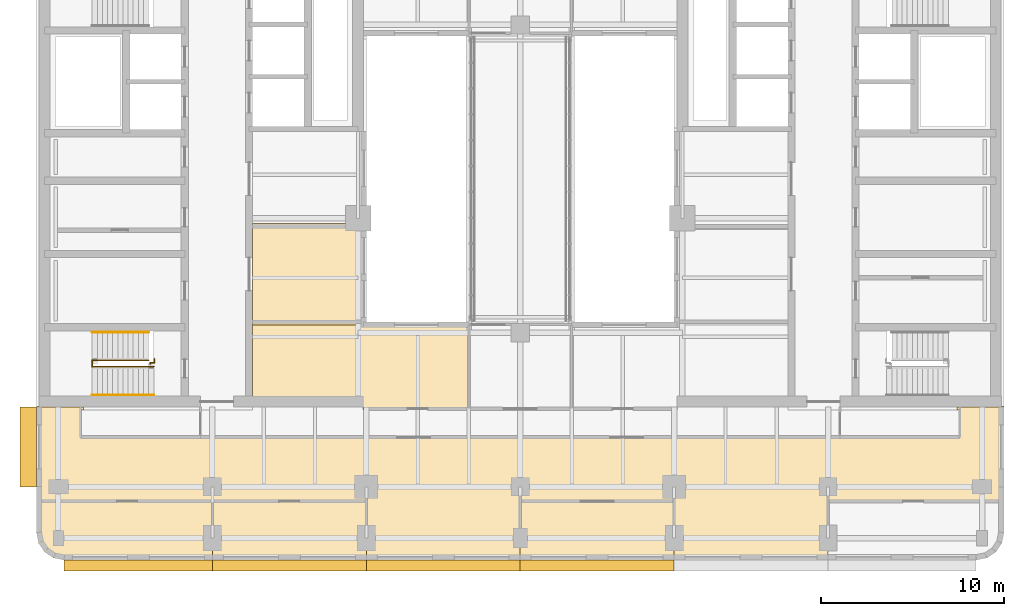
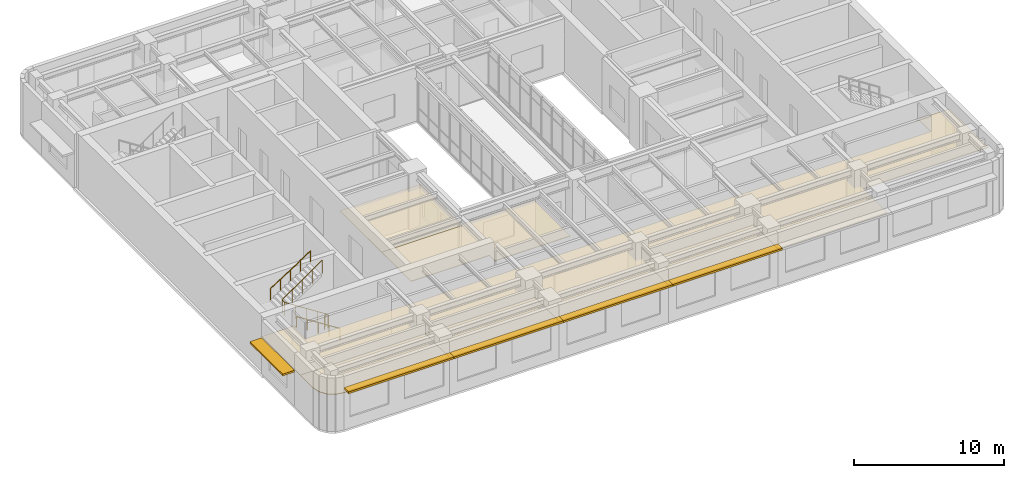
# One storey, part 12 of 14: 6 coverings, 5 shading devices, 4 railings.
"""IFC4 building model written with IfcOpenShell, lengths in metres."""

from ifc_helpers import new_model, si_unit, direction, frame, origin, origin_2d, place, context, subcontext, project, spatial, polyline, rectangle, circle, outline, extrude, material, layer, layer_set, type_object, element, save


model = new_model("IFC4")

# Units and contexts
model_context = context("Model", 3, precision=1e-05, world=origin(), true_north=direction((0.0, 1.0)))
body_context = subcontext(model_context, "Body", "Model", "MODEL_VIEW")
ifc_project = project(units=[si_unit("LENGTHUNIT", "METRE"), si_unit("AREAUNIT", "SQUARE_METRE"), si_unit("VOLUMEUNIT", "CUBIC_METRE"), si_unit("PLANEANGLEUNIT", "RADIAN"), si_unit("MASSUNIT", "GRAM", prefix="KILO")], contexts=[model_context])

# Site, building, storey
site_placement = place(None, origin())
site = spatial("IfcSite", under=ifc_project, at=site_placement, CompositionType="ELEMENT")
building_placement = place(site_placement, origin())
building = spatial("IfcBuilding", under=site, at=building_placement, Name="Claustro Exchange Tower", CompositionType="ELEMENT")
storey_placement = place(building_placement, frame((0.0, 0.0, 250.199951171875)))
storey = spatial("IfcBuildingStorey", under=building, at=storey_placement, Name="L57", CompositionType="ELEMENT", Elevation=250.199951171875)

# Coverings
ifc_material_1 = material(Name="Oak slats on acoustic backing", Category="wood")
ifc_layer_1 = layer(ifc_material_1, 0.050048828125)
ifc_layer_set_1 = layer_set([ifc_layer_1], Name="Oak slats on acoustic backing")
covering_type = type_object("IfcCoveringType", Name="CL3 timber slat ceiling", PredefinedType="CEILING", material=ifc_layer_set_1)
covering_1_placement = place(storey_placement, frame((0.0, 0.0, 3.0)))
element("IfcCovering", 1, at=covering_1_placement, inside=storey, type_object=covering_type, Name="Ceiling CL3 L57-01", PredefinedType="CEILING", context=body_context, shape_type="SweptSolid", body=[
    extrude(outline(polyline([(-1.199951171875, 5.89990234375), (-1.085693359375, 5.325927734375), (-0.7607421875, 4.83935546875), (-0.27392578125, 4.51416015625), (0.300048828125, 4.39990234375), (8.39990234375, 4.39990234375), (8.39990234375, 7.60009765625), (-1.199951171875, 7.60009765625), (-1.199951171875, 5.89990234375)])), origin(), (0.0, 0.0, 1.0), 0.050048828125),
])
covering_2_placement = place(storey_placement, frame((0.0, 0.0, 3.0)))
element("IfcCovering", 2, at=covering_2_placement, inside=storey, type_object=covering_type, Name="Ceiling CL3 L57-02", PredefinedType="CEILING", context=body_context, shape_type="SweptSolid", body=[
    extrude(outline(polyline([(8.39990234375, 4.39990234375), (16.800048828125, 4.39990234375), (16.800048828125, 7.60009765625), (8.39990234375, 7.60009765625), (8.39990234375, 4.39990234375)])), origin(), (0.0, 0.0, 1.0), 0.050048828125),
])
covering_3_placement = place(storey_placement, frame((0.0, 0.0, 3.0)))
element("IfcCovering", 3, at=covering_3_placement, inside=storey, type_object=covering_type, Name="Ceiling CL3 L57-03", PredefinedType="CEILING", context=body_context, shape_type="SweptSolid", body=[
    extrude(outline(polyline([(25.199951171875, 4.39990234375), (33.60009765625, 4.39990234375), (33.60009765625, 7.60009765625), (25.199951171875, 7.60009765625), (25.199951171875, 4.39990234375)])), origin(), (0.0, 0.0, 1.0), 0.050048828125),
])
covering_4_placement = place(storey_placement, frame((0.0, 0.0, 3.0)))
element("IfcCovering", 4, at=covering_4_placement, inside=storey, type_object=covering_type, Name="Ceiling CL3 L57-05", PredefinedType="CEILING", context=body_context, shape_type="SweptSolid", body=[
    extrude(outline(polyline([(51.60009765625, 7.60009765625), (51.60009765625, 12.77001953125), (51.449951171875, 12.77001953125), (51.449951171875, 12.75), (49.030029296875, 12.75), (49.030029296875, 12.60009765625), (49.199951171875, 12.60009765625), (49.199951171875, 11.10009765625), (1.199951171875, 11.10009765625), (1.199951171875, 12.60009765625), (1.3701171875, 12.60009765625), (1.3701171875, 12.75), (-1.050048828125, 12.75), (-1.050048828125, 12.77001953125), (-1.199951171875, 12.77001953125), (-1.199951171875, 7.60009765625), (16.800048828125, 7.60009765625), (16.800048828125, 4.39990234375), (25.199951171875, 4.39990234375), (25.199951171875, 7.60009765625), (33.60009765625, 7.60009765625), (33.60009765625, 4.39990234375), (42.0, 4.39990234375), (42.0, 7.60009765625), (51.60009765625, 7.60009765625)])), origin(), (0.0, 0.0, 1.0), 0.050048828125),
])
covering_5_placement = place(storey_placement, frame((0.0, 0.0, 3.0)))
element("IfcCovering", 5, at=covering_5_placement, inside=storey, type_object=covering_type, Name="Ceiling CL3 L57-10", PredefinedType="CEILING", context=body_context, shape_type="SweptSolid", body=[
    extrude(outline(polyline([(22.39990234375, 17.39990234375), (16.800048828125, 17.39990234375), (16.800048828125, 17.570068359375), (10.60009765625, 17.570068359375), (10.60009765625, 13.330078125), (16.6298828125, 13.330078125), (16.6298828125, 12.60009765625), (22.39990234375, 12.60009765625), (22.39990234375, 17.39990234375)])), origin(), (0.0, 0.0, 1.0), 0.050048828125),
])
covering_6_placement = place(storey_placement, frame((0.0, 0.0, 3.0)))
element("IfcCovering", 6, at=covering_6_placement, inside=storey, type_object=covering_type, Name="Ceiling CL3 L57-12", PredefinedType="CEILING", context=body_context, shape_type="SweptSolid", body=[
    extrude(outline(polyline([(10.60009765625, 22.77001953125), (10.60009765625, 17.22998046875), (16.800048828125, 17.22998046875), (16.800048828125, 22.77001953125), (10.60009765625, 22.77001953125)])), origin(), (0.0, 0.0, 1.0), 0.050048828125),
])

# Railings
ifc_material_2 = material(Name="Steel balustrade, painted", Category="steel")
railing_type_1 = type_object("IfcRailingType", Name="GR2 1100 steel stair guard", PredefinedType="GUARDRAIL", material=ifc_material_2)
railing_1_placement = place(storey_placement, frame((5.199951171875, 14.949951171875, 0.179931640625)))
element("IfcRailing", 7, at=railing_1_placement, inside=storey, type_object=railing_type_1, Name="Stair well guard GR2 stair STWA L57", PredefinedType="GUARDRAIL", context=body_context, shape_type="SweptSolid", body=[
    extrude(circle(Radius=0.02392578125, at=origin_2d()), frame((0.0, 0.0, 1.076171875), z_axis=(-0.841150671818, 0.0, 0.540800838849), x_axis=(0.0, -1.0, 0.0)), (0.0, 0.0, 1.0), 3.994384765625),
    extrude(circle(Radius=0.02392578125, at=origin_2d()), frame((-3.35986328125, 0.0, 3.236328125), z_axis=(0.0, 1.0, 0.0), x_axis=(-1.0, 0.0, 0.0)), (0.0, 0.0, 1.0), 0.35009765625),
    extrude(circle(Radius=0.02392578125, at=origin_2d()), frame((-3.35986328125, 0.35009765625, 3.236328125), z_axis=(0.818728512145, 0.0, 0.574180828137), x_axis=(0.0, 1.0, 0.0)), (0.0, 0.0, 1.0), 3.76171875),
    extrude(circle(Radius=0.02099609375, at=origin_2d()), origin(), (0.0, 0.0, 1.0), 1.052001953125),
    extrude(circle(Radius=0.02099609375, at=origin_2d()), frame((-0.83984375, 0.0, 0.5400390625)), (0.0, 0.0, 1.0), 1.052001953125),
    extrude(circle(Radius=0.02099609375, at=origin_2d()), frame((-1.679931640625, 0.0, 1.080078125)), (0.0, 0.0, 1.0), 1.052001953125),
    extrude(circle(Radius=0.02099609375, at=origin_2d()), frame((-2.52001953125, 0.0, 1.6201171875)), (0.0, 0.0, 1.0), 1.052001953125),
    extrude(circle(Radius=0.02099609375, at=origin_2d()), frame((-3.35986328125, 0.0, 2.16015625)), (0.0, 0.0, 1.0), 1.052001953125),
    extrude(circle(Radius=0.02099609375, at=origin_2d()), frame((-3.35986328125, 0.35009765625, 2.16015625)), (0.0, 0.0, 1.0), 1.052001953125),
    extrude(circle(Radius=0.02099609375, at=origin_2d()), frame((-2.58984375, 0.35009765625, 2.7001953125)), (0.0, 0.0, 1.0), 1.052001953125),
    extrude(circle(Radius=0.02099609375, at=origin_2d()), frame((-1.81982421875, 0.35009765625, 3.240234375)), (0.0, 0.0, 1.0), 1.052001953125),
    extrude(circle(Radius=0.02099609375, at=origin_2d()), frame((-1.050048828125, 0.35009765625, 3.780029296875)), (0.0, 0.0, 1.0), 1.052001953125),
    extrude(circle(Radius=0.02099609375, at=origin_2d()), frame((-0.280029296875, 0.35009765625, 4.320068359375)), (0.0, 0.0, 1.0), 1.052001953125),
])
railing_2_placement = place(storey_placement, frame((5.0, 15.094970703125, 0.0)))
element("IfcRailing", 8, at=railing_2_placement, inside=storey, type_object=railing_type_1, Name="Stair guard GR2 STWA L57", PredefinedType="GUARDRAIL", context=body_context, shape_type="SweptSolid", body=[
    extrude(circle(Radius=0.02392578125, at=origin_2d()), frame((0.0, 0.0, 1.076171875), z_axis=(0.0, 1.0, 0.0), x_axis=(-1.0, 0.0, 0.0)), (0.0, 0.0, 1.0), 0.067626953125),
    extrude(circle(Radius=0.02392578125, at=origin_2d()), frame((0.0, 0.067626953125, 1.076171875), z_axis=(1.0, 0.0, 0.0), x_axis=(0.0, 1.0, 0.0)), (0.0, 0.0, 1.0), 0.22509765625),
    extrude(circle(Radius=0.02392578125, at=origin_2d()), frame((0.22509765625, 0.067626953125, 1.076171875), z_axis=(0.0, 1.0, 0.0), x_axis=(-1.0, 0.0, 0.0)), (0.0, 0.0, 1.0), 0.21728515625),
    extrude(circle(Radius=0.02099609375, at=origin_2d()), origin(), (0.0, 0.0, 1.0), 1.052001953125),
    extrude(circle(Radius=0.02099609375, at=origin_2d()), frame((0.0, 0.067626953125, 0.0)), (0.0, 0.0, 1.0), 1.052001953125),
    extrude(circle(Radius=0.02099609375, at=origin_2d()), frame((0.22509765625, 0.067626953125, 0.0)), (0.0, 0.0, 1.0), 1.052001953125),
    extrude(circle(Radius=0.02099609375, at=origin_2d()), frame((0.22509765625, 0.284912109375, 0.0)), (0.0, 0.0, 1.0), 1.052001953125),
])
ifc_material_3 = material(Name="Stainless steel tube", Category="steel")
railing_type_2 = type_object("IfcRailingType", Name="HR1 900 stair handrail", PredefinedType="HANDRAIL", material=ifc_material_3)
railing_3_placement = place(storey_placement, frame((5.199951171875, 13.409912109375, 0.179931640625)))
element("IfcRailing", 9, at=railing_3_placement, inside=storey, type_object=railing_type_2, Name="Handrail HR1 stair STWA L57", PredefinedType="HANDRAIL", context=body_context, shape_type="SweptSolid", body=[
    extrude(circle(Radius=0.02392578125, at=origin_2d()), frame((0.0, 0.0, 0.8759765625), z_axis=(-0.841150671818, 0.0, 0.540800838849), x_axis=(0.0, -1.0, 0.0)), (0.0, 0.0, 1.0), 3.994384765625),
    extrude(circle(Radius=0.02099609375, at=origin_2d()), origin(), (0.0, 0.0, 1.0), 0.851806640625),
    extrude(circle(Radius=0.02099609375, at=origin_2d()), frame((-0.83984375, 0.0, 0.5400390625)), (0.0, 0.0, 1.0), 0.851806640625),
    extrude(circle(Radius=0.02099609375, at=origin_2d()), frame((-1.679931640625, 0.0, 1.080078125)), (0.0, 0.0, 1.0), 0.851806640625),
    extrude(circle(Radius=0.02099609375, at=origin_2d()), frame((-2.52001953125, 0.0, 1.6201171875)), (0.0, 0.0, 1.0), 0.851806640625),
    extrude(circle(Radius=0.02099609375, at=origin_2d()), frame((-3.35986328125, 0.0, 2.16015625)), (0.0, 0.0, 1.0), 0.851806640625),
])
railing_4_placement = place(storey_placement, frame((1.840087890625, 16.840087890625, 2.52001953125)))
element("IfcRailing", 10, at=railing_4_placement, inside=storey, type_object=railing_type_2, Name="Handrail HR1 stair STWA L57", PredefinedType="HANDRAIL", context=body_context, shape_type="SweptSolid", body=[
    extrude(circle(Radius=0.02392578125, at=origin_2d()), frame((0.0, 0.0, 0.8759765625), z_axis=(0.841167642724, 0.0, 0.540774441735), x_axis=(0.0, 1.0, 0.0)), (0.0, 0.0, 1.0), 3.661376953125),
    extrude(circle(Radius=0.02099609375, at=origin_2d()), origin(), (0.0, 0.0, 1.0), 0.851806640625),
    extrude(circle(Radius=0.02099609375, at=origin_2d()), frame((0.77001953125, 0.0, 0.4951171875)), (0.0, 0.0, 1.0), 0.851806640625),
    extrude(circle(Radius=0.02099609375, at=origin_2d()), frame((1.5400390625, 0.0, 0.989990234375)), (0.0, 0.0, 1.0), 0.851806640625),
    extrude(circle(Radius=0.02099609375, at=origin_2d()), frame((2.309814453125, 0.0, 1.48486328125)), (0.0, 0.0, 1.0), 0.851806640625),
    extrude(circle(Radius=0.02099609375, at=origin_2d()), frame((3.079833984375, 0.0, 1.97998046875)), (0.0, 0.0, 1.0), 0.851806640625),
])

# Shading devices
ifc_material_4 = material(Name="Concrete HA-40 (C40/50), precast, white cement, acid-etched", Category="concrete")
ifc_layer_2 = layer(ifc_material_4, 0.14990234375)
ifc_layer_set_2 = layer_set([ifc_layer_2], Name="Concrete HA-40 (C40/50), precast, white cement, acid-etched")
shading_device_type_1 = type_object("IfcShadingDeviceType", Name="SS1 600 precast concrete SUNSHADE", PredefinedType="SHUTTER", material=ifc_layer_set_2)
for number, where, z_axis, x_axis, name in (
    (11, (29.39990234375, 4.10009765625, 3.300048828125), (0.0, 0.0, 1.0), (-1.0, 0.0, 0.0), "Precast SUNSHADE SS1 L57"),
    (12, (21.0, 4.10009765625, 3.300048828125), (0.0, 0.0, 1.0), (-1.0, 0.0, 0.0), "Precast SUNSHADE SS1 L57"),
    (13, (12.60009765625, 4.10009765625, 3.300048828125), (0.0, 0.0, 1.0), (-1.0, 0.0, 0.0), "Precast SUNSHADE SS1 L57"),
):
    element("IfcShadingDevice", number, at=place(storey_placement, frame(where, z_axis=z_axis, x_axis=x_axis)), inside=storey, type_object=shading_device_type_1, Name=name, PredefinedType="SHUTTER", context=body_context, shape_type="SweptSolid", body=[
        extrude(rectangle(XDim=8.39990234375, YDim=0.60009765625, at=origin_2d()), origin(), (0.0, 0.0, 1.0), 0.14990234375),
    ])
shading_device_1_placement = place(storey_placement, frame((4.357421875, 4.10009765625, 3.300048828125), z_axis=(0.0, 0.0, 1.0), x_axis=(-1.0, 0.0, 0.0)))
element("IfcShadingDevice", 14, at=shading_device_1_placement, inside=storey, type_object=shading_device_type_1, Name="Precast SUNSHADE SS1 L57", PredefinedType="SHUTTER", context=body_context, shape_type="SweptSolid", body=[
    extrude(rectangle(XDim=8.085205078125, YDim=0.60009765625, at=origin_2d()), origin(), (0.0, 0.0, 1.0), 0.14990234375),
])
ifc_material_5 = material(Name="Concrete HA-40 (C40/50), precast, white cement, acid-etched", Category="concrete")
ifc_layer_3 = layer(ifc_material_5, 0.14990234375)
ifc_layer_set_3 = layer_set([ifc_layer_3], Name="Concrete HA-40 (C40/50), precast, white cement, acid-etched")
shading_device_type_2 = type_object("IfcShadingDeviceType", Name="SS2 900 precast concrete SUNSHADE", PredefinedType="SHUTTER", material=ifc_layer_set_3)
shading_device_2_placement = place(storey_placement, frame((-1.64990234375, 10.574951171875, 2.800048828125), z_axis=(0.0, 0.0, 1.0), x_axis=(0.0, 1.0, 0.0)))
element("IfcShadingDevice", 15, at=shading_device_2_placement, inside=storey, type_object=shading_device_type_2, Name="Precast SUNSHADE SS2 L57", PredefinedType="SHUTTER", context=body_context, shape_type="SweptSolid", body=[
    extrude(rectangle(XDim=4.35009765625, YDim=0.89990234375, at=origin_2d()), origin(), (0.0, 0.0, 1.0), 0.14990234375),
])

save(model, "model.ifc")
